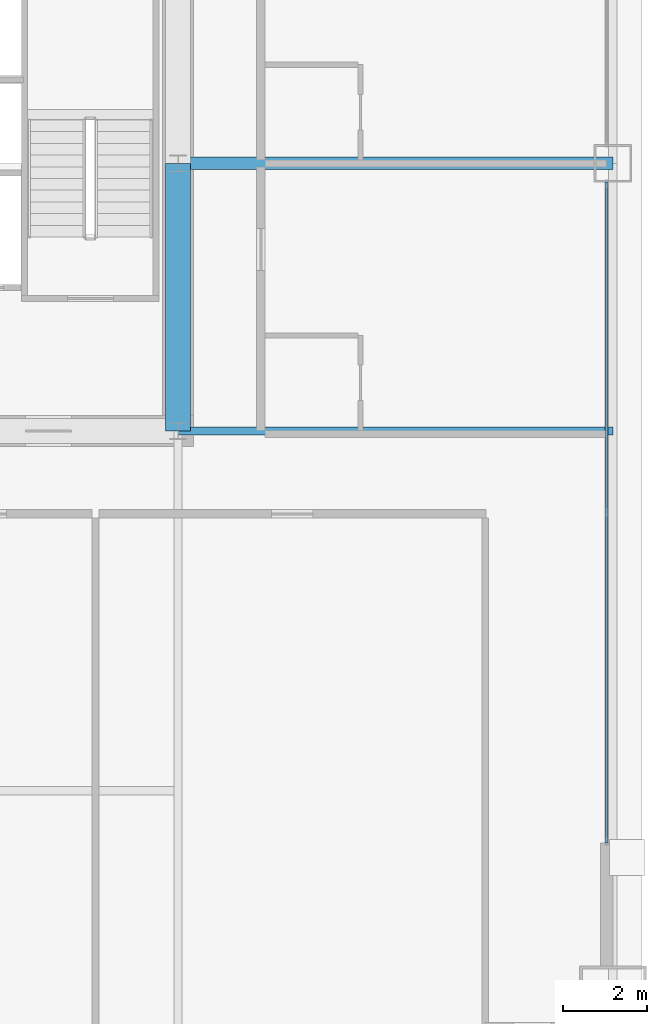
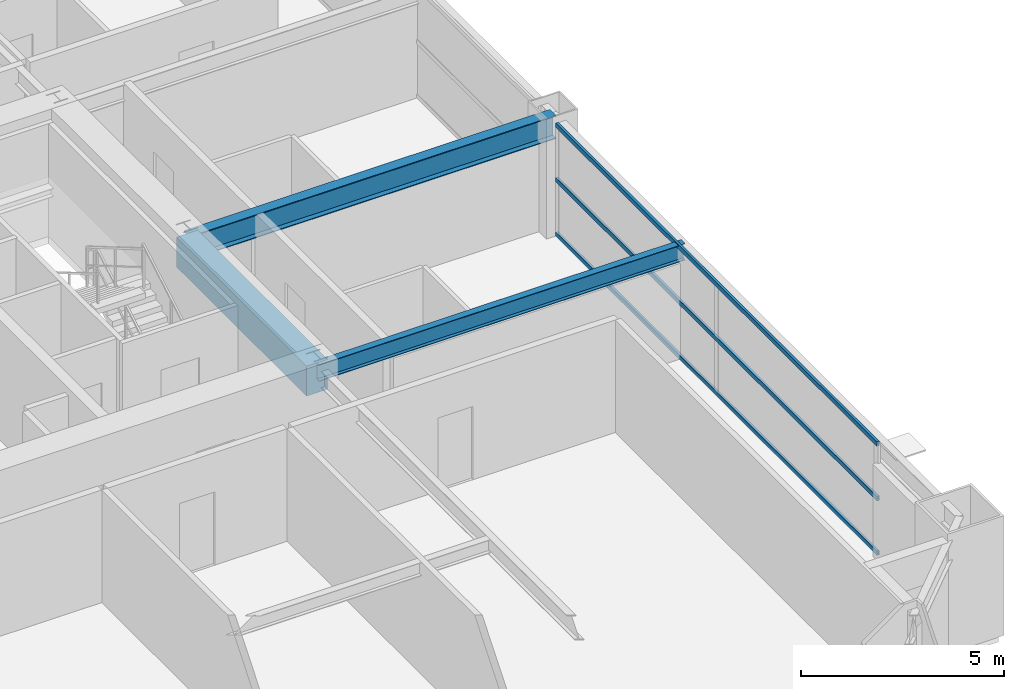
# One storey, part 19 of 39: 3 beams, 3 members, 1 element without a shape of its own.
"""IFC4 building model written with IfcOpenShell, lengths in metres."""

from ifc_helpers import new_model, si_unit, direction, frame, origin, origin_2d, place, context, subcontext, project, spatial, rectangle, hollow_rectangle, i_section, extrude, source, transform, mapped, material, layer, layer_set, material_profile, profile_set, type_object, element, aggregate, save


model = new_model("IFC4")

# Units and contexts
model_context = context("Model", 3, precision=1e-05, world=origin(), true_north=direction((0.0, 1.0)))
body_context = subcontext(model_context, "Body", "Model", "MODEL_VIEW")
ifc_project = project(units=[si_unit("LENGTHUNIT", "METRE"), si_unit("AREAUNIT", "SQUARE_METRE"), si_unit("VOLUMEUNIT", "CUBIC_METRE"), si_unit("PLANEANGLEUNIT", "RADIAN"), si_unit("MASSUNIT", "GRAM", prefix="KILO"), si_unit("THERMODYNAMICTEMPERATUREUNIT", "KELVIN"), si_unit("POWERUNIT", "WATT")], contexts=[model_context])

# Site, building, storey
site_placement = place(None, origin())
site = spatial("IfcSite", under=ifc_project, at=site_placement, CompositionType="ELEMENT")
building_placement = place(site_placement, origin())
building = spatial("IfcBuilding", under=site, at=building_placement, Name="Yuzanri Waterfront Tower", CompositionType="ELEMENT")
storey_placement = place(building_placement, frame((0.0, 0.0, 134.39990234375)))
storey = spatial("IfcBuildingStorey", under=building, at=storey_placement, Name="L35", CompositionType="ELEMENT", Elevation=134.39990234375)

# Beams
ifc_material_1 = material(Name="Concrete C60", Category="concrete")
ifc_material_profile_1 = material_profile(ifc_material_1, rectangle(XDim=0.60009765625, YDim=0.89990234375, at=origin_2d()), Name="RC 600x900")
ifc_profile_set_1 = profile_set([ifc_material_profile_1], Name="Concrete C60")
beam_type_1 = type_object("IfcBeamType", Name="Core Coupling Lintel Concrete C60 600x900", PredefinedType="LINTEL", material=ifc_profile_set_1)
shared_shape_1 = source(origin(), body_context, "Body", "SweptSolid", [
    extrude(rectangle(XDim=0.60009765625, YDim=0.89990234375, at=origin_2d()), origin(), (0.0, 0.0, 1.0), 6.400146484375),
])
beam_1_placement = place(storey_placement, frame((50.199951171875, 19.39990234375, 2.93017578125), z_axis=(0.0, 1.0, 0.0), x_axis=(-1.0, 0.0, 0.0)))
element("IfcBeam", 1, at=beam_1_placement, inside=storey, type_object=beam_type_1, Name="L35 Core Tie Beam CE1", PredefinedType="LINTEL", context=body_context, shape_type="MappedRepresentation", body=[
    mapped(shared_shape_1, transform((0.0, 0.0, 0.0), scale=1.0)),
])
ifc_material_2 = material(Name="Steel Q355B", Category="steel")
ifc_material_profile_2 = material_profile(ifc_material_2, i_section(OverallWidth=0.300048828125, OverallDepth=0.699951171875, WebThickness=0.012939453125, FlangeThickness=0.02392578125, at=origin_2d()), Name="HN 700x300x13x24")
ifc_profile_set_2 = profile_set([ifc_material_profile_2], Name="Steel Q355B")
beam_type_2 = type_object("IfcBeamType", Name="Primary Floor Girder Q355B HN 700x300", PredefinedType="BEAM", material=ifc_profile_set_2)
shared_shape_2 = source(origin(), body_context, "Body", "SweptSolid", [
    extrude(i_section(OverallWidth=0.300048828125, OverallDepth=0.699951171875, WebThickness=0.012939453125, FlangeThickness=0.02392578125, at=origin_2d()), origin(), (0.0, 0.0, 1.0), 10.400146484375),
])
beam_2_placement = place(storey_placement, frame((50.199951171875, 25.800048828125, 3.030029296875), z_axis=(1.0, 0.0, 0.0), x_axis=(0.0, 1.0, 0.0)))
element("IfcBeam", 2, at=beam_2_placement, inside=storey, type_object=beam_type_2, Name="L35 East Grid Girder", PredefinedType="BEAM", context=body_context, shape_type="MappedRepresentation", body=[
    mapped(shared_shape_2, transform((0.0, 0.0, 0.0), scale=1.0)),
])
ifc_material_3 = material(Name="Steel Q355B", Category="steel")
ifc_material_profile_3 = material_profile(ifc_material_3, i_section(OverallWidth=0.199951171875, OverallDepth=0.5, WebThickness=0.010009765625, FlangeThickness=0.01611328125, at=origin_2d()), Name="HN 500x200x10x16")
ifc_profile_set_3 = profile_set([ifc_material_profile_3], Name="Steel Q355B")
beam_type_3 = type_object("IfcBeamType", Name="Secondary Floor Beam Q355B HN 500x200", PredefinedType="BEAM", material=ifc_profile_set_3)
shared_shape_3 = source(origin(), body_context, "Body", "SweptSolid", [
    extrude(i_section(OverallWidth=0.199951171875, OverallDepth=0.5, WebThickness=0.010009765625, FlangeThickness=0.01611328125, at=origin_2d()), origin(), (0.0, 0.0, 1.0), 10.400146484375),
])
beam_3_placement = place(storey_placement, frame((50.199951171875, 19.39990234375, 3.130126953125), z_axis=(1.0, 0.0, 0.0), x_axis=(0.0, 1.0, 0.0)))
element("IfcBeam", 3, at=beam_3_placement, inside=storey, type_object=beam_type_3, Name="L35 East-South Core Line Beam", PredefinedType="BEAM", context=body_context, shape_type="MappedRepresentation", body=[
    mapped(shared_shape_3, transform((0.0, 0.0, 0.0), scale=1.0)),
])

# Curtain wall, members
ifc_material_4 = material(Name="Anodized Architectural Bronze", Category="metal")
ifc_layer = layer(ifc_material_4, 0.159912109375)
ifc_layer_set = layer_set([ifc_layer], Name="Anodized Architectural Bronze")
curtain_wall_type = type_object("IfcCurtainWallType", Name="Anodized Bronze Hotel Upper-Tier Solar-Control Unitized Curtain Wall 7800", PredefinedType="NOTDEFINED", material=ifc_layer_set)
curtain_wall_placement = place(storey_placement, origin())
curtain_wall = element("IfcCurtainWall", 4, at=curtain_wall_placement, inside=storey, type_object=curtain_wall_type, Name="L35 Curtain Wall CW-L35-EL", PredefinedType="NOTDEFINED")
ifc_material_5 = material(Name="Anodized Architectural Bronze", Category="metal")
ifc_material_profile_4 = material_profile(ifc_material_5, hollow_rectangle(XDim=0.070068359375, YDim=0.135009765625, WallThickness=0.00341796875, at=origin_2d()), Name="CWT 70x135")
ifc_profile_set_4 = profile_set([ifc_material_profile_4], Name="Anodized Architectural Bronze")
member_type = type_object("IfcMemberType", Name="Anodized Bronze Standard Curtain-Wall Transom 70x135", PredefinedType="USERDEFINED", material=ifc_profile_set_4)
shared_shape_4 = source(origin(), body_context, "Body", "SweptSolid", [
    extrude(hollow_rectangle(XDim=0.070068359375, YDim=0.135009765625, WallThickness=0.00341796875, at=origin_2d()), origin(), (0.0, 0.0, 1.0), 15.800048828125),
])
member_1_placement = place(storey_placement, frame((60.449951171875, 9.550048828125, 0.050048828125), z_axis=(0.0, 1.0, 0.0), x_axis=(-1.0, 0.0, 0.0)))
member_1 = element("IfcMember", 5, at=member_1_placement, type_object=member_type, Name="CW-L35-EL Transom 1", ObjectType="TRANSOM", PredefinedType="USERDEFINED", context=body_context, shape_type="MappedRepresentation", body=[
    mapped(shared_shape_4, transform((0.0, 0.0, 0.0), scale=1.0)),
])
member_2_placement = place(storey_placement, frame((60.449951171875, 9.550048828125, 1.690185546875), z_axis=(0.0, 1.0, 0.0), x_axis=(-1.0, 0.0, 0.0)))
member_2 = element("IfcMember", 6, at=member_2_placement, type_object=member_type, Name="CW-L35-EL Transom 2", ObjectType="TRANSOM", PredefinedType="USERDEFINED", context=body_context, shape_type="MappedRepresentation", body=[
    mapped(shared_shape_4, transform((0.0, 0.0, 0.0), scale=1.0)),
])
member_3_placement = place(storey_placement, frame((60.449951171875, 9.550048828125, 3.330078125), z_axis=(0.0, 1.0, 0.0), x_axis=(-1.0, 0.0, 0.0)))
member_3 = element("IfcMember", 7, at=member_3_placement, type_object=member_type, Name="CW-L35-EL Transom 3", ObjectType="TRANSOM", PredefinedType="USERDEFINED", context=body_context, shape_type="MappedRepresentation", body=[
    mapped(shared_shape_4, transform((0.0, 0.0, 0.0), scale=1.0)),
])
aggregate(curtain_wall, [member_1, member_2, member_3])

save(model, "model.ifc")
